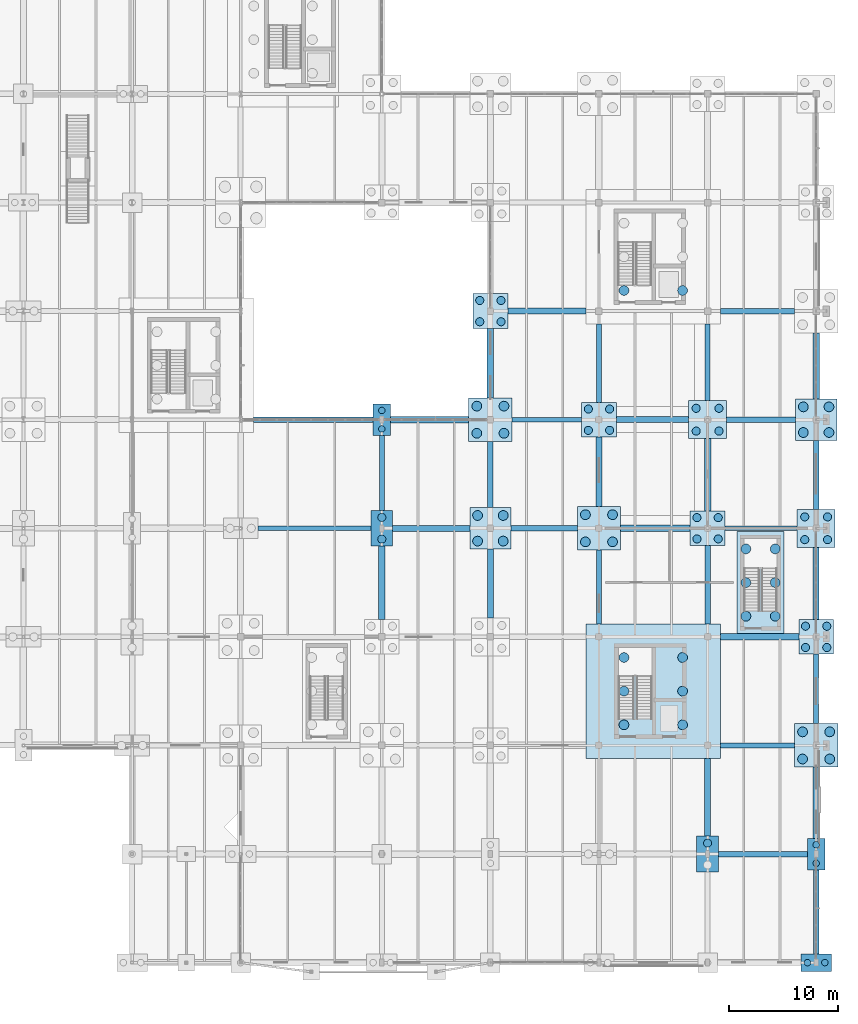
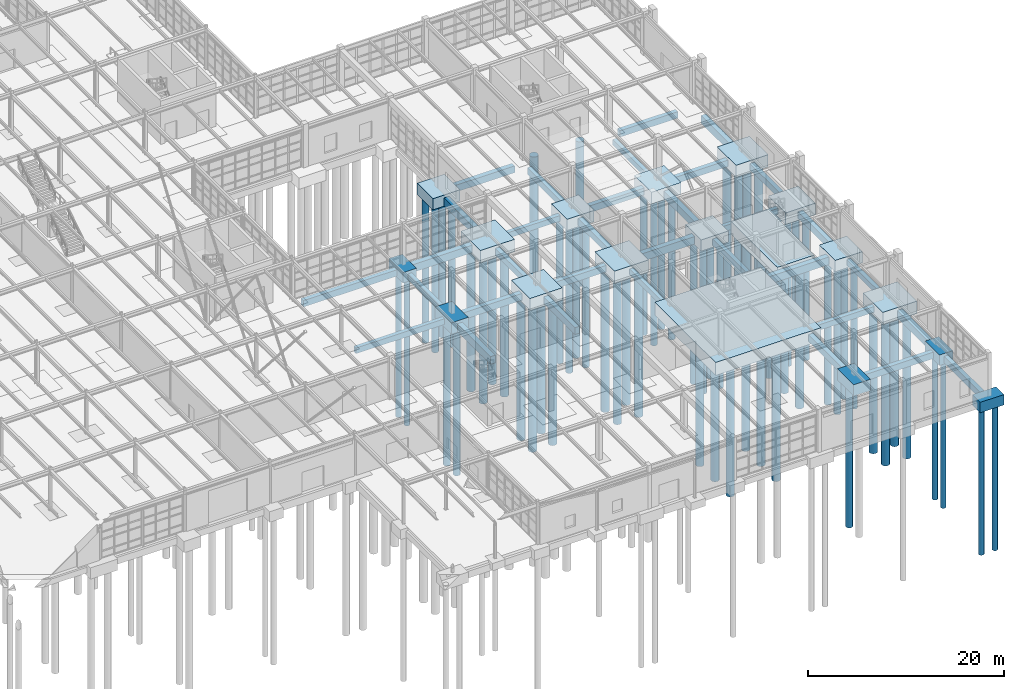
# One storey, part 8 of 145: 67 piles, 51 footings.
"""IFC4 building model written with IfcOpenShell, lengths in metres."""

from ifc_helpers import new_model, si_unit, direction, frame, origin, origin_2d, place, context, subcontext, project, spatial, rectangle, circle, extrude, material, material_profile, profile_set, type_object, element, save


model = new_model("IFC4")

# Units and contexts
model_context = context("Model", 3, precision=1e-05, world=origin(), true_north=direction((0.0, 1.0)))
body_context = subcontext(model_context, "Body", "Model", "MODEL_VIEW")
ifc_project = project(units=[si_unit("LENGTHUNIT", "METRE"), si_unit("AREAUNIT", "SQUARE_METRE"), si_unit("VOLUMEUNIT", "CUBIC_METRE"), si_unit("PLANEANGLEUNIT", "RADIAN"), si_unit("MASSUNIT", "GRAM", prefix="KILO"), si_unit("THERMODYNAMICTEMPERATUREUNIT", "KELVIN"), si_unit("POWERUNIT", "WATT")], contexts=[model_context])

# Site, building, storey
site_placement = place(None, origin())
site = spatial("IfcSite", under=ifc_project, at=site_placement, CompositionType="ELEMENT")
building_placement = place(site_placement, origin())
building = spatial("IfcBuilding", under=site, at=building_placement, Name="Korenveer Ferry Terminal", CompositionType="ELEMENT")
storey_placement = place(building_placement, origin())
storey = spatial("IfcBuildingStorey", under=building, at=storey_placement, Name="L00", CompositionType="ELEMENT", Elevation=0.0)

# Footings
ifc_material_1 = material(Name="Concrete C40/50", Category="concrete")
footing_type_1 = type_object("IfcFootingType", Name="STR-GB-01", PredefinedType="FOOTING_BEAM", material=ifc_material_1)
footing_1_placement = place(storey_placement, frame((171.10009765625, 10.0, -1.14990234375), z_axis=(0.0, 0.0, 1.0), x_axis=(1.0, 0.0, 0.0)))
element("IfcFooting", 1, at=footing_1_placement, inside=storey, type_object=footing_type_1, Name="Ground tie beam 24", PredefinedType="FOOTING_BEAM", context=body_context, shape_type="SweptSolid", body=[
    extrude(rectangle(XDim=8.199951171875, YDim=0.5, at=origin_2d()), origin(), (0.0, 0.0, 1.0), 0.800048828125),
])
footing_2_placement = place(storey_placement, frame((150.949951171875, 40.0, -1.14990234375), z_axis=(0.0, 0.0, 1.0), x_axis=(1.0, 0.0, 0.0)))
element("IfcFooting", 2, at=footing_2_placement, inside=storey, type_object=footing_type_1, Name="Ground tie beam 68", PredefinedType="FOOTING_BEAM", context=body_context, shape_type="SweptSolid", body=[
    extrude(rectangle(XDim=6.10009765625, YDim=0.5, at=origin_2d()), origin(), (0.0, 0.0, 1.0), 0.800048828125),
])
footing_3_placement = place(storey_placement, frame((129.699951171875, 50.0, -1.14990234375), z_axis=(0.0, 0.0, 1.0), x_axis=(1.0, 0.0, 0.0)))
element("IfcFooting", 3, at=footing_3_placement, inside=storey, type_object=footing_type_1, Name="Ground tie beam 80", PredefinedType="FOOTING_BEAM", context=body_context, shape_type="SweptSolid", body=[
    extrude(rectangle(XDim=11.0, YDim=0.5, at=origin_2d()), origin(), (0.0, 0.0, 1.0), 0.800048828125),
])
footing_4_placement = place(storey_placement, frame((170.925048828125, 50.0, -1.14990234375), z_axis=(0.0, 0.0, 1.0), x_axis=(1.0, 0.0, 0.0)))
element("IfcFooting", 4, at=footing_4_placement, inside=storey, type_object=footing_type_1, Name="Ground tie beam 84", PredefinedType="FOOTING_BEAM", context=body_context, shape_type="SweptSolid", body=[
    extrude(rectangle(XDim=6.35009765625, YDim=0.5, at=origin_2d()), origin(), (0.0, 0.0, 1.0), 0.800048828125),
])
footing_5_placement = place(storey_placement, frame((170.60009765625, 60.0, -1.14990234375), z_axis=(0.0, 0.0, 1.0), x_axis=(1.0, 0.0, 0.0)))
element("IfcFooting", 5, at=footing_5_placement, inside=storey, type_object=footing_type_1, Name="Ground tie beam 92", PredefinedType="FOOTING_BEAM", context=body_context, shape_type="SweptSolid", body=[
    extrude(rectangle(XDim=6.800048828125, YDim=0.5, at=origin_2d()), origin(), (0.0, 0.0, 1.0), 0.800048828125),
])
footing_6_placement = place(storey_placement, frame((146.0, 44.949951171875, -1.14990234375), z_axis=(0.0, 0.0, 1.0), x_axis=(1.0, 0.0, 0.0)))
element("IfcFooting", 6, at=footing_6_placement, inside=storey, type_object=footing_type_1, Name="Ground tie beam 276", PredefinedType="FOOTING_BEAM", context=body_context, shape_type="SweptSolid", body=[
    extrude(rectangle(XDim=0.5, YDim=6.10009765625, at=origin_2d()), origin(), (0.0, 0.0, 1.0), 0.800048828125),
])
for number, where, z_axis, x_axis, name in (
    (7, (156.0, 55.199951171875, -1.14990234375), (0.0, 0.0, 1.0), (1.0, 0.0, 0.0), "Ground tie beam 284"),
    (8, (166.0, 34.800048828125, -1.14990234375), (0.0, 0.0, 1.0), (1.0, 0.0, 0.0), "Ground tie beam 288"),
):
    element("IfcFooting", number, at=place(storey_placement, frame(where, z_axis=z_axis, x_axis=x_axis)), inside=storey, type_object=footing_type_1, Name=name, PredefinedType="FOOTING_BEAM", context=body_context, shape_type="SweptSolid", body=[
        extrude(rectangle(XDim=0.5, YDim=7.199951171875, at=origin_2d()), origin(), (0.0, 0.0, 1.0), 0.800048828125),
    ])
footing_7_placement = place(storey_placement, frame((176.0, 4.675048828125, -1.14990234375), z_axis=(0.0, 0.0, 1.0), x_axis=(1.0, 0.0, 0.0)))
element("IfcFooting", 9, at=footing_7_placement, inside=storey, type_object=footing_type_1, Name="Ground tie beam 292", PredefinedType="FOOTING_BEAM", context=body_context, shape_type="SweptSolid", body=[
    extrude(rectangle(XDim=0.5, YDim=7.75, at=origin_2d()), origin(), (0.0, 0.0, 1.0), 0.800048828125),
])
footing_8_placement = place(storey_placement, frame((176.0, 44.925048828125, -1.14990234375), z_axis=(0.0, 0.0, 1.0), x_axis=(1.0, 0.0, 0.0)))
element("IfcFooting", 10, at=footing_8_placement, inside=storey, type_object=footing_type_1, Name="Ground tie beam 296", PredefinedType="FOOTING_BEAM", context=body_context, shape_type="SweptSolid", body=[
    extrude(rectangle(XDim=0.5, YDim=6.35009765625, at=origin_2d()), origin(), (0.0, 0.0, 1.0), 0.800048828125),
])
footing_type_2 = type_object("IfcFootingType", Name="STR-GB-02", PredefinedType="FOOTING_BEAM", material=ifc_material_1)
footing_9_placement = place(storey_placement, frame((170.800048828125, 30.0, -1.2998046875), z_axis=(0.0, 0.0, 1.0), x_axis=(1.0, 0.0, 0.0)))
element("IfcFooting", 11, at=footing_9_placement, inside=storey, type_object=footing_type_2, Name="Ground tie beam 53", PredefinedType="FOOTING_BEAM", context=body_context, shape_type="SweptSolid", body=[
    extrude(rectangle(XDim=7.199951171875, YDim=0.60009765625, at=origin_2d()), origin(), (0.0, 0.0, 1.0), 0.949951171875),
])
footing_10_placement = place(storey_placement, frame((161.199951171875, 40.0, -1.2998046875), z_axis=(0.0, 0.0, 1.0), x_axis=(1.0, 0.0, 0.0)))
element("IfcFooting", 12, at=footing_10_placement, inside=storey, type_object=footing_type_2, Name="Ground tie beam 69", PredefinedType="FOOTING_BEAM", context=body_context, shape_type="SweptSolid", body=[
    extrude(rectangle(XDim=6.39990234375, YDim=0.60009765625, at=origin_2d()), origin(), (0.0, 0.0, 1.0), 0.949951171875),
])
footing_11_placement = place(storey_placement, frame((140.39990234375, 50.0, -1.2998046875), z_axis=(0.0, 0.0, 1.0), x_axis=(1.0, 0.0, 0.0)))
element("IfcFooting", 13, at=footing_11_placement, inside=storey, type_object=footing_type_2, Name="Ground tie beam 81", PredefinedType="FOOTING_BEAM", context=body_context, shape_type="SweptSolid", body=[
    extrude(rectangle(XDim=7.199951171875, YDim=0.60009765625, at=origin_2d()), origin(), (0.0, 0.0, 1.0), 0.949951171875),
])
footing_12_placement = place(storey_placement, frame((136.0, 34.97509765625, -1.2998046875), z_axis=(0.0, 0.0, 1.0), x_axis=(1.0, 0.0, 0.0)))
element("IfcFooting", 14, at=footing_12_placement, inside=storey, type_object=footing_type_2, Name="Ground tie beam 265", PredefinedType="FOOTING_BEAM", context=body_context, shape_type="SweptSolid", body=[
    extrude(rectangle(XDim=0.60009765625, YDim=6.75, at=origin_2d()), origin(), (0.0, 0.0, 1.0), 0.949951171875),
])
footing_13_placement = place(storey_placement, frame((146.0, 55.199951171875, -1.2998046875), z_axis=(0.0, 0.0, 1.0), x_axis=(1.0, 0.0, 0.0)))
element("IfcFooting", 15, at=footing_13_placement, inside=storey, type_object=footing_type_2, Name="Ground tie beam 277", PredefinedType="FOOTING_BEAM", context=body_context, shape_type="SweptSolid", body=[
    extrude(rectangle(XDim=0.60009765625, YDim=6.39990234375, at=origin_2d()), origin(), (0.0, 0.0, 1.0), 0.949951171875),
])
footing_14_placement = place(storey_placement, frame((166.0, 44.925048828125, -1.2998046875), z_axis=(0.0, 0.0, 1.0), x_axis=(1.0, 0.0, 0.0)))
element("IfcFooting", 16, at=footing_14_placement, inside=storey, type_object=footing_type_2, Name="Ground tie beam 289", PredefinedType="FOOTING_BEAM", context=body_context, shape_type="SweptSolid", body=[
    extrude(rectangle(XDim=0.60009765625, YDim=6.64990234375, at=origin_2d()), origin(), (0.0, 0.0, 1.0), 0.949951171875),
])
footing_15_placement = place(storey_placement, frame((176.0, 14.72509765625, -1.2998046875), z_axis=(0.0, 0.0, 1.0), x_axis=(1.0, 0.0, 0.0)))
element("IfcFooting", 17, at=footing_15_placement, inside=storey, type_object=footing_type_2, Name="Ground tie beam 293", PredefinedType="FOOTING_BEAM", context=body_context, shape_type="SweptSolid", body=[
    extrude(rectangle(XDim=0.60009765625, YDim=6.550048828125, at=origin_2d()), origin(), (0.0, 0.0, 1.0), 0.949951171875),
])
footing_16_placement = place(storey_placement, frame((176.0, 54.949951171875, -1.2998046875), z_axis=(0.0, 0.0, 1.0), x_axis=(1.0, 0.0, 0.0)))
element("IfcFooting", 18, at=footing_16_placement, inside=storey, type_object=footing_type_2, Name="Ground tie beam 297", PredefinedType="FOOTING_BEAM", context=body_context, shape_type="SweptSolid", body=[
    extrude(rectangle(XDim=0.60009765625, YDim=6.10009765625, at=origin_2d()), origin(), (0.0, 0.0, 1.0), 0.949951171875),
])
footing_type_3 = type_object("IfcFootingType", Name="STR-GB-03", PredefinedType="FOOTING_BEAM", material=ifc_material_1)
footing_17_placement = place(storey_placement, frame((170.60009765625, 20.0, -1.0498046875), z_axis=(0.0, 0.0, 1.0), x_axis=(1.0, 0.0, 0.0)))
element("IfcFooting", 19, at=footing_17_placement, inside=storey, type_object=footing_type_3, Name="Ground tie beam 38", PredefinedType="FOOTING_BEAM", context=body_context, shape_type="SweptSolid", body=[
    extrude(rectangle(XDim=6.800048828125, YDim=0.449951171875, at=origin_2d()), origin(), (0.0, 0.0, 1.0), 0.699951171875),
])
footing_18_placement = place(storey_placement, frame((129.800048828125, 40.0, -1.0498046875), z_axis=(0.0, 0.0, 1.0), x_axis=(1.0, 0.0, 0.0)))
element("IfcFooting", 20, at=footing_18_placement, inside=storey, type_object=footing_type_3, Name="Ground tie beam 66", PredefinedType="FOOTING_BEAM", context=body_context, shape_type="SweptSolid", body=[
    extrude(rectangle(XDim=10.39990234375, YDim=0.449951171875, at=origin_2d()), origin(), (0.0, 0.0, 1.0), 0.699951171875),
])
footing_19_placement = place(storey_placement, frame((170.925048828125, 40.0, -1.0498046875), z_axis=(0.0, 0.0, 1.0), x_axis=(1.0, 0.0, 0.0)))
element("IfcFooting", 21, at=footing_19_placement, inside=storey, type_object=footing_type_3, Name="Ground tie beam 70", PredefinedType="FOOTING_BEAM", context=body_context, shape_type="SweptSolid", body=[
    extrude(rectangle(XDim=6.64990234375, YDim=0.449951171875, at=origin_2d()), origin(), (0.0, 0.0, 1.0), 0.699951171875),
])
footing_20_placement = place(storey_placement, frame((151.199951171875, 50.0, -1.0498046875), z_axis=(0.0, 0.0, 1.0), x_axis=(1.0, 0.0, 0.0)))
element("IfcFooting", 22, at=footing_20_placement, inside=storey, type_object=footing_type_3, Name="Ground tie beam 82", PredefinedType="FOOTING_BEAM", context=body_context, shape_type="SweptSolid", body=[
    extrude(rectangle(XDim=6.39990234375, YDim=0.449951171875, at=origin_2d()), origin(), (0.0, 0.0, 1.0), 0.699951171875),
])
footing_21_placement = place(storey_placement, frame((136.0, 45.10009765625, -1.0498046875), z_axis=(0.0, 0.0, 1.0), x_axis=(1.0, 0.0, 0.0)))
element("IfcFooting", 23, at=footing_21_placement, inside=storey, type_object=footing_type_3, Name="Ground tie beam 266", PredefinedType="FOOTING_BEAM", context=body_context, shape_type="SweptSolid", body=[
    extrude(rectangle(XDim=0.449951171875, YDim=6.89990234375, at=origin_2d()), origin(), (0.0, 0.0, 1.0), 0.699951171875),
])
footing_22_placement = place(storey_placement, frame((156.0, 34.60009765625, -1.0498046875), z_axis=(0.0, 0.0, 1.0), x_axis=(1.0, 0.0, 0.0)))
element("IfcFooting", 24, at=footing_22_placement, inside=storey, type_object=footing_type_3, Name="Ground tie beam 282", PredefinedType="FOOTING_BEAM", context=body_context, shape_type="SweptSolid", body=[
    extrude(rectangle(XDim=0.449951171875, YDim=6.800048828125, at=origin_2d()), origin(), (0.0, 0.0, 1.0), 0.699951171875),
])
footing_23_placement = place(storey_placement, frame((166.0, 55.27490234375, -1.0498046875), z_axis=(0.0, 0.0, 1.0), x_axis=(1.0, 0.0, 0.0)))
element("IfcFooting", 25, at=footing_23_placement, inside=storey, type_object=footing_type_3, Name="Ground tie beam 290", PredefinedType="FOOTING_BEAM", context=body_context, shape_type="SweptSolid", body=[
    extrude(rectangle(XDim=0.449951171875, YDim=7.050048828125, at=origin_2d()), origin(), (0.0, 0.0, 1.0), 0.699951171875),
])
footing_24_placement = place(storey_placement, frame((176.0, 25.199951171875, -1.0498046875), z_axis=(0.0, 0.0, 1.0), x_axis=(1.0, 0.0, 0.0)))
element("IfcFooting", 26, at=footing_24_placement, inside=storey, type_object=footing_type_3, Name="Ground tie beam 294", PredefinedType="FOOTING_BEAM", context=body_context, shape_type="SweptSolid", body=[
    extrude(rectangle(XDim=0.449951171875, YDim=6.39990234375, at=origin_2d()), origin(), (0.0, 0.0, 1.0), 0.699951171875),
])
footing_type_4 = type_object("IfcFootingType", Name="STR-GB-04", PredefinedType="FOOTING_BEAM", material=ifc_material_1)
footing_25_placement = place(storey_placement, frame((140.550048828125, 40.0, -1.199951171875), z_axis=(0.0, 0.0, 1.0), x_axis=(1.0, 0.0, 0.0)))
element("IfcFooting", 27, at=footing_25_placement, inside=storey, type_object=footing_type_4, Name="Ground tie beam 67", PredefinedType="FOOTING_BEAM", context=body_context, shape_type="SweptSolid", body=[
    extrude(rectangle(XDim=7.10009765625, YDim=0.550048828125, at=origin_2d()), origin(), (0.0, 0.0, 1.0), 0.85009765625),
])
footing_26_placement = place(storey_placement, frame((160.925048828125, 50.0, -1.199951171875), z_axis=(0.0, 0.0, 1.0), x_axis=(1.0, 0.0, 0.0)))
element("IfcFooting", 28, at=footing_26_placement, inside=storey, type_object=footing_type_4, Name="Ground tie beam 83", PredefinedType="FOOTING_BEAM", context=body_context, shape_type="SweptSolid", body=[
    extrude(rectangle(XDim=6.64990234375, YDim=0.550048828125, at=origin_2d()), origin(), (0.0, 0.0, 1.0), 0.85009765625),
])
footing_27_placement = place(storey_placement, frame((151.199951171875, 60.0, -1.199951171875), z_axis=(0.0, 0.0, 1.0), x_axis=(1.0, 0.0, 0.0)))
element("IfcFooting", 29, at=footing_27_placement, inside=storey, type_object=footing_type_4, Name="Ground tie beam 91", PredefinedType="FOOTING_BEAM", context=body_context, shape_type="SweptSolid", body=[
    extrude(rectangle(XDim=7.199951171875, YDim=0.550048828125, at=origin_2d()), origin(), (0.0, 0.0, 1.0), 0.85009765625),
])
footing_28_placement = place(storey_placement, frame((146.0, 34.925048828125, -1.199951171875), z_axis=(0.0, 0.0, 1.0), x_axis=(1.0, 0.0, 0.0)))
element("IfcFooting", 30, at=footing_28_placement, inside=storey, type_object=footing_type_4, Name="Ground tie beam 275", PredefinedType="FOOTING_BEAM", context=body_context, shape_type="SweptSolid", body=[
    extrude(rectangle(XDim=0.550048828125, YDim=6.35009765625, at=origin_2d()), origin(), (0.0, 0.0, 1.0), 0.85009765625),
])
footing_29_placement = place(storey_placement, frame((156.0, 45.199951171875, -1.199951171875), z_axis=(0.0, 0.0, 1.0), x_axis=(1.0, 0.0, 0.0)))
element("IfcFooting", 31, at=footing_29_placement, inside=storey, type_object=footing_type_4, Name="Ground tie beam 283", PredefinedType="FOOTING_BEAM", context=body_context, shape_type="SweptSolid", body=[
    extrude(rectangle(XDim=0.550048828125, YDim=6.39990234375, at=origin_2d()), origin(), (0.0, 0.0, 1.0), 0.85009765625),
])
footing_30_placement = place(storey_placement, frame((166.0, 15.22509765625, -1.199951171875), z_axis=(0.0, 0.0, 1.0), x_axis=(1.0, 0.0, 0.0)))
element("IfcFooting", 32, at=footing_30_placement, inside=storey, type_object=footing_type_4, Name="Ground tie beam 287", PredefinedType="FOOTING_BEAM", context=body_context, shape_type="SweptSolid", body=[
    extrude(rectangle(XDim=0.550048828125, YDim=7.14990234375, at=origin_2d()), origin(), (0.0, 0.0, 1.0), 0.85009765625),
])
footing_31_placement = place(storey_placement, frame((176.0, 34.925048828125, -1.199951171875), z_axis=(0.0, 0.0, 1.0), x_axis=(1.0, 0.0, 0.0)))
element("IfcFooting", 33, at=footing_31_placement, inside=storey, type_object=footing_type_4, Name="Ground tie beam 295", PredefinedType="FOOTING_BEAM", context=body_context, shape_type="SweptSolid", body=[
    extrude(rectangle(XDim=0.550048828125, YDim=6.64990234375, at=origin_2d()), origin(), (0.0, 0.0, 1.0), 0.85009765625),
])
ifc_material_2 = material(Name="Concrete C45/55", Category="concrete")
footing_type_5 = type_object("IfcFootingType", Name="STR-PC-02", PredefinedType="PILE_CAP", material=ifc_material_2)
footing_32_placement = place(storey_placement, frame((176.0, 0.0, -1.2998046875), z_axis=(0.0, 0.0, 1.0), x_axis=(1.0, 0.0, 0.0)))
element("IfcFooting", 34, at=footing_32_placement, inside=storey, type_object=footing_type_5, Name="Pile cap PC-02 at (176,0)", PredefinedType="PILE_CAP", context=body_context, shape_type="SweptSolid", body=[
    extrude(rectangle(XDim=2.800048828125, YDim=1.60009765625, at=origin_2d()), origin(), (0.0, 0.0, 1.0), 1.300048828125),
])
footing_type_6 = type_object("IfcFootingType", Name="STR-PC-03", PredefinedType="PILE_CAP", material=ifc_material_2)
for number, where, z_axis, x_axis, name in (
    (35, (136.0, 50.0, -1.2998046875), (0.0, 0.0, 1.0), (1.0, 0.0, 0.0), "Pile cap PC-03 at (136,50)"),
    (36, (176.0, 10.0, -1.2998046875), (0.0, 0.0, 1.0), (1.0, 0.0, 0.0), "Pile cap PC-03 at (176,10)"),
):
    element("IfcFooting", number, at=place(storey_placement, frame(where, z_axis=z_axis, x_axis=x_axis)), inside=storey, type_object=footing_type_6, Name=name, PredefinedType="PILE_CAP", context=body_context, shape_type="SweptSolid", body=[
        extrude(rectangle(XDim=1.60009765625, YDim=2.89990234375, at=origin_2d()), origin(), (0.0, 0.0, 1.0), 1.300048828125),
    ])
footing_type_7 = type_object("IfcFootingType", Name="STR-PC-05", PredefinedType="PILE_CAP", material=ifc_material_2)
for number, where, z_axis, x_axis, name in (
    (37, (136.0, 40.0, -1.39990234375), (0.0, 0.0, 1.0), (1.0, 0.0, 0.0), "Pile cap PC-05 at (136,40)"),
    (38, (166.0, 10.0, -1.39990234375), (0.0, 0.0, 1.0), (1.0, 0.0, 0.0), "Pile cap PC-05 at (166,10)"),
):
    element("IfcFooting", number, at=place(storey_placement, frame(where, z_axis=z_axis, x_axis=x_axis)), inside=storey, type_object=footing_type_7, Name=name, PredefinedType="PILE_CAP", context=body_context, shape_type="SweptSolid", body=[
        extrude(rectangle(XDim=2.0, YDim=3.300048828125, at=origin_2d()), origin(), (0.0, 0.0, 1.0), 1.39990234375),
    ])
footing_type_8 = type_object("IfcFootingType", Name="STR-PC-06", PredefinedType="PILE_CAP", material=ifc_material_2)
for number, where, z_axis, x_axis, name in (
    (39, (146.0, 60.0, -1.39990234375), (0.0, 0.0, 1.0), (1.0, 0.0, 0.0), "Pile cap PC-06 at (146,60)"),
    (40, (156.0, 50.0, -1.39990234375), (0.0, 0.0, 1.0), (1.0, 0.0, 0.0), "Pile cap PC-06 at (156,50)"),
    (41, (166.0, 40.0, -1.39990234375), (0.0, 0.0, 1.0), (1.0, 0.0, 0.0), "Pile cap PC-06 at (166,40)"),
    (42, (176.0, 30.0, -1.39990234375), (0.0, 0.0, 1.0), (1.0, 0.0, 0.0), "Pile cap PC-06 at (176,30)"),
):
    element("IfcFooting", number, at=place(storey_placement, frame(where, z_axis=z_axis, x_axis=x_axis)), inside=storey, type_object=footing_type_8, Name=name, PredefinedType="PILE_CAP", context=body_context, shape_type="SweptSolid", body=[
        extrude(rectangle(XDim=3.199951171875, YDim=3.199951171875, at=origin_2d()), origin(), (0.0, 0.0, 1.0), 1.39990234375),
    ])
footing_type_9 = type_object("IfcFootingType", Name="STR-PC-07", PredefinedType="PILE_CAP", material=ifc_material_2)
for number, where, z_axis, x_axis, name in (
    (43, (166.0, 50.0, -1.4501953125), (0.0, 0.0, 1.0), (1.0, 0.0, 0.0), "Pile cap PC-07 at (166,50)"),
    (44, (176.0, 40.0, -1.4501953125), (0.0, 0.0, 1.0), (1.0, 0.0, 0.0), "Pile cap PC-07 at (176,40)"),
):
    element("IfcFooting", number, at=place(storey_placement, frame(where, z_axis=z_axis, x_axis=x_axis)), inside=storey, type_object=footing_type_9, Name=name, PredefinedType="PILE_CAP", context=body_context, shape_type="SweptSolid", body=[
        extrude(rectangle(XDim=3.5, YDim=3.5, at=origin_2d()), origin(), (0.0, 0.0, 1.0), 1.449951171875),
    ])
footing_type_10 = type_object("IfcFootingType", Name="STR-PC-08", PredefinedType="PILE_CAP", material=ifc_material_2)
for number, where, z_axis, x_axis, name in (
    (45, (146.0, 40.0, -1.5), (0.0, 0.0, 1.0), (1.0, 0.0, 0.0), "Pile cap PC-08 at (146,40)"),
    (46, (176.0, 50.0, -1.5), (0.0, 0.0, 1.0), (1.0, 0.0, 0.0), "Pile cap PC-08 at (176,50)"),
):
    element("IfcFooting", number, at=place(storey_placement, frame(where, z_axis=z_axis, x_axis=x_axis)), inside=storey, type_object=footing_type_10, Name=name, PredefinedType="PILE_CAP", context=body_context, shape_type="SweptSolid", body=[
        extrude(rectangle(XDim=3.800048828125, YDim=3.800048828125, at=origin_2d()), origin(), (0.0, 0.0, 1.0), 1.5),
    ])
footing_type_11 = type_object("IfcFootingType", Name="STR-PC-09", PredefinedType="PILE_CAP", material=ifc_material_2)
for number, where, z_axis, x_axis, name in (
    (47, (146.0, 50.0, -1.5498046875), (0.0, 0.0, 1.0), (1.0, 0.0, 0.0), "Pile cap PC-09 at (146,50)"),
    (48, (156.0, 40.0, -1.5498046875), (0.0, 0.0, 1.0), (1.0, 0.0, 0.0), "Pile cap PC-09 at (156,40)"),
    (49, (176.0, 20.0, -1.5498046875), (0.0, 0.0, 1.0), (1.0, 0.0, 0.0), "Pile cap PC-09 at (176,20)"),
):
    element("IfcFooting", number, at=place(storey_placement, frame(where, z_axis=z_axis, x_axis=x_axis)), inside=storey, type_object=footing_type_11, Name=name, PredefinedType="PILE_CAP", context=body_context, shape_type="SweptSolid", body=[
        extrude(rectangle(XDim=4.0, YDim=4.0, at=origin_2d()), origin(), (0.0, 0.0, 1.0), 1.550048828125),
    ])
footing_type_12 = type_object("IfcFootingType", Name="STR-PC-MAT-K12", PredefinedType="PILE_CAP", material=ifc_material_2)
footing_33_placement = place(storey_placement, frame((170.8798828125, 35.0, -1.60009765625), z_axis=(0.0, 0.0, 1.0), x_axis=(1.0, 0.0, 0.0)))
element("IfcFooting", 50, at=footing_33_placement, inside=storey, type_object=footing_type_12, Name="Core pile cap mat K12", PredefinedType="PILE_CAP", context=body_context, shape_type="SweptSolid", body=[
    extrude(rectangle(XDim=4.360107421875, YDim=9.39990234375, at=origin_2d()), origin(), (0.0, 0.0, 1.0), 1.60009765625),
])
footing_type_13 = type_object("IfcFootingType", Name="STR-PC-MAT-K3", PredefinedType="PILE_CAP", material=ifc_material_2)
footing_34_placement = place(storey_placement, frame((161.0, 25.0, -1.60009765625), z_axis=(0.0, 0.0, 1.0), x_axis=(1.0, 0.0, 0.0)))
element("IfcFooting", 51, at=footing_34_placement, inside=storey, type_object=footing_type_13, Name="Core pile cap mat K3", PredefinedType="PILE_CAP", context=body_context, shape_type="SweptSolid", body=[
    extrude(rectangle(XDim=12.39990234375, YDim=12.39990234375, at=origin_2d()), origin(), (0.0, 0.0, 1.0), 1.60009765625),
])

# Piles
ifc_material_profile_1 = material_profile(ifc_material_1, circle(Radius=0.300048828125, at=origin_2d()), Name="PILE D600")
ifc_profile_set_1 = profile_set([ifc_material_profile_1], Name="Concrete C40/50")
pile_type_1 = type_object("IfcPileType", Name="STR-PL-D600", PredefinedType="DRIVEN", material=ifc_profile_set_1)
for number, where, z_axis, x_axis, name in (
    (52, (136.0, 49.14990234375, -1.199951171875), (0.0, 0.0, -1.0), (1.0, 0.0, 0.0), "Foundation pile 413"),
    (53, (136.0, 50.85009765625, -1.199951171875), (0.0, 0.0, -1.0), (1.0, 0.0, 0.0), "Foundation pile 414"),
    (54, (175.199951171875, 0.0, -1.199951171875), (0.0, 0.0, -1.0), (1.0, 0.0, 0.0), "Foundation pile 501"),
    (55, (176.800048828125, 0.0, -1.199951171875), (0.0, 0.0, -1.0), (1.0, 0.0, 0.0), "Foundation pile 502"),
    (56, (176.0, 9.14990234375, -1.199951171875), (0.0, 0.0, -1.0), (1.0, 0.0, 0.0), "Foundation pile 503"),
    (57, (176.0, 10.85009765625, -1.199951171875), (0.0, 0.0, -1.0), (1.0, 0.0, 0.0), "Foundation pile 504"),
):
    element("IfcPile", number, at=place(storey_placement, frame(where, z_axis=z_axis, x_axis=x_axis)), inside=storey, type_object=pile_type_1, Name=name, PredefinedType="DRIVEN", context=body_context, shape_type="SweptSolid", body=[
        extrude(circle(Radius=0.300048828125, at=origin_2d()), origin(), (0.0, 0.0, 1.0), 18.300048828125),
    ])
ifc_material_profile_2 = material_profile(ifc_material_1, circle(Radius=0.375, at=origin_2d()), Name="PILE D750")
ifc_profile_set_2 = profile_set([ifc_material_profile_2], Name="Concrete C40/50")
pile_type_2 = type_object("IfcPileType", Name="STR-PL-D750", PredefinedType="BORED", material=ifc_profile_set_2)
for number, where, z_axis, x_axis, name in (
    (58, (136.0, 39.0, -1.300048828125), (0.0, 0.0, -1.0), (1.0, 0.0, 0.0), "Foundation pile 411"),
    (59, (136.0, 41.0, -1.300048828125), (0.0, 0.0, -1.0), (1.0, 0.0, 0.0), "Foundation pile 412"),
    (60, (145.02001953125, 59.02001953125, -1.300048828125), (0.0, 0.0, -1.0), (1.0, 0.0, 0.0), "Foundation pile 458"),
    (61, (146.97998046875, 59.02001953125, -1.300048828125), (0.0, 0.0, -1.0), (1.0, 0.0, 0.0), "Foundation pile 459"),
    (62, (145.02001953125, 60.97998046875, -1.300048828125), (0.0, 0.0, -1.0), (1.0, 0.0, 0.0), "Foundation pile 460"),
    (63, (146.97998046875, 60.97998046875, -1.300048828125), (0.0, 0.0, -1.0), (1.0, 0.0, 0.0), "Foundation pile 461"),
    (64, (155.02001953125, 49.02001953125, -1.300048828125), (0.0, 0.0, -1.0), (1.0, 0.0, 0.0), "Foundation pile 478"),
    (65, (156.97998046875, 49.02001953125, -1.300048828125), (0.0, 0.0, -1.0), (1.0, 0.0, 0.0), "Foundation pile 479"),
    (66, (155.02001953125, 50.97998046875, -1.300048828125), (0.0, 0.0, -1.0), (1.0, 0.0, 0.0), "Foundation pile 480"),
    (67, (156.97998046875, 50.97998046875, -1.300048828125), (0.0, 0.0, -1.0), (1.0, 0.0, 0.0), "Foundation pile 481"),
    (68, (166.0, 11.0, -1.300048828125), (0.0, 0.0, -1.0), (1.0, 0.0, 0.0), "Foundation pile 488"),
    (69, (165.02001953125, 39.02001953125, -1.300048828125), (0.0, 0.0, -1.0), (1.0, 0.0, 0.0), "Foundation pile 489"),
    (70, (166.97998046875, 39.02001953125, -1.300048828125), (0.0, 0.0, -1.0), (1.0, 0.0, 0.0), "Foundation pile 490"),
    (71, (165.02001953125, 40.97998046875, -1.300048828125), (0.0, 0.0, -1.0), (1.0, 0.0, 0.0), "Foundation pile 491"),
    (72, (166.97998046875, 40.97998046875, -1.300048828125), (0.0, 0.0, -1.0), (1.0, 0.0, 0.0), "Foundation pile 492"),
):
    element("IfcPile", number, at=place(storey_placement, frame(where, z_axis=z_axis, x_axis=x_axis)), inside=storey, type_object=pile_type_2, Name=name, PredefinedType="BORED", context=body_context, shape_type="SweptSolid", body=[
        extrude(circle(Radius=0.375, at=origin_2d()), origin(), (0.0, 0.0, 1.0), 18.199951171875),
    ])
for number, where, z_axis, x_axis, name in (
    (73, (164.949951171875, 48.949951171875, -1.35009765625), (0.0, 0.0, -1.0), (1.0, 0.0, 0.0), "Foundation pile 493"),
    (74, (167.050048828125, 48.949951171875, -1.35009765625), (0.0, 0.0, -1.0), (1.0, 0.0, 0.0), "Foundation pile 494"),
    (75, (164.949951171875, 51.050048828125, -1.35009765625), (0.0, 0.0, -1.0), (1.0, 0.0, 0.0), "Foundation pile 495"),
    (76, (167.050048828125, 51.050048828125, -1.35009765625), (0.0, 0.0, -1.0), (1.0, 0.0, 0.0), "Foundation pile 496"),
):
    element("IfcPile", number, at=place(storey_placement, frame(where, z_axis=z_axis, x_axis=x_axis)), inside=storey, type_object=pile_type_2, Name=name, PredefinedType="BORED", context=body_context, shape_type="SweptSolid", body=[
        extrude(circle(Radius=0.375, at=origin_2d()), origin(), (0.0, 0.0, 1.0), 18.14990234375),
    ])
for number, where, z_axis, x_axis, name in (
    (77, (175.02001953125, 29.02001953125, -1.300048828125), (0.0, 0.0, -1.0), (1.0, 0.0, 0.0), "Foundation pile 509"),
    (78, (176.97998046875, 29.02001953125, -1.300048828125), (0.0, 0.0, -1.0), (1.0, 0.0, 0.0), "Foundation pile 510"),
    (79, (175.02001953125, 30.97998046875, -1.300048828125), (0.0, 0.0, -1.0), (1.0, 0.0, 0.0), "Foundation pile 511"),
    (80, (176.97998046875, 30.97998046875, -1.300048828125), (0.0, 0.0, -1.0), (1.0, 0.0, 0.0), "Foundation pile 512"),
):
    element("IfcPile", number, at=place(storey_placement, frame(where, z_axis=z_axis, x_axis=x_axis)), inside=storey, type_object=pile_type_2, Name=name, PredefinedType="BORED", context=body_context, shape_type="SweptSolid", body=[
        extrude(circle(Radius=0.375, at=origin_2d()), origin(), (0.0, 0.0, 1.0), 18.199951171875),
    ])
for number, where, z_axis, x_axis, name in (
    (81, (174.949951171875, 38.949951171875, -1.35009765625), (0.0, 0.0, -1.0), (1.0, 0.0, 0.0), "Foundation pile 513"),
    (82, (177.050048828125, 38.949951171875, -1.35009765625), (0.0, 0.0, -1.0), (1.0, 0.0, 0.0), "Foundation pile 514"),
    (83, (174.949951171875, 41.050048828125, -1.35009765625), (0.0, 0.0, -1.0), (1.0, 0.0, 0.0), "Foundation pile 515"),
    (84, (177.050048828125, 41.050048828125, -1.35009765625), (0.0, 0.0, -1.0), (1.0, 0.0, 0.0), "Foundation pile 516"),
):
    element("IfcPile", number, at=place(storey_placement, frame(where, z_axis=z_axis, x_axis=x_axis)), inside=storey, type_object=pile_type_2, Name=name, PredefinedType="BORED", context=body_context, shape_type="SweptSolid", body=[
        extrude(circle(Radius=0.375, at=origin_2d()), origin(), (0.0, 0.0, 1.0), 18.14990234375),
    ])
ifc_material_profile_3 = material_profile(ifc_material_1, circle(Radius=0.449951171875, at=origin_2d()), Name="PILE D900")
ifc_profile_set_3 = profile_set([ifc_material_profile_3], Name="Concrete C40/50")
pile_type_3 = type_object("IfcPileType", Name="STR-PL-D900", PredefinedType="BORED", material=ifc_profile_set_3)
for number, where, z_axis, x_axis, name in (
    (85, (158.300048828125, 21.89990234375, -1.5), (0.0, 0.0, -1.0), (1.0, 0.0, 0.0), "Core foundation pile 13"),
    (86, (163.699951171875, 21.89990234375, -1.5), (0.0, 0.0, -1.0), (1.0, 0.0, 0.0), "Core foundation pile 14"),
    (87, (158.300048828125, 25.0, -1.5), (0.0, 0.0, -1.0), (1.0, 0.0, 0.0), "Core foundation pile 15"),
    (88, (163.699951171875, 25.0, -1.5), (0.0, 0.0, -1.0), (1.0, 0.0, 0.0), "Core foundation pile 16"),
    (89, (158.300048828125, 28.10009765625, -1.5), (0.0, 0.0, -1.0), (1.0, 0.0, 0.0), "Core foundation pile 17"),
    (90, (163.699951171875, 28.10009765625, -1.5), (0.0, 0.0, -1.0), (1.0, 0.0, 0.0), "Core foundation pile 18"),
    (91, (158.300048828125, 61.89990234375, -1.5), (0.0, 0.0, -1.0), (1.0, 0.0, 0.0), "Core foundation pile 19"),
    (92, (163.699951171875, 61.89990234375, -1.5), (0.0, 0.0, -1.0), (1.0, 0.0, 0.0), "Core foundation pile 20"),
    (93, (169.530029296875, 31.89990234375, -1.5), (0.0, 0.0, -1.0), (1.0, 0.0, 0.0), "Core foundation pile 67"),
    (94, (172.22998046875, 31.89990234375, -1.5), (0.0, 0.0, -1.0), (1.0, 0.0, 0.0), "Core foundation pile 68"),
    (95, (169.530029296875, 35.0, -1.5), (0.0, 0.0, -1.0), (1.0, 0.0, 0.0), "Core foundation pile 69"),
    (96, (172.22998046875, 35.0, -1.5), (0.0, 0.0, -1.0), (1.0, 0.0, 0.0), "Core foundation pile 70"),
    (97, (169.530029296875, 38.10009765625, -1.5), (0.0, 0.0, -1.0), (1.0, 0.0, 0.0), "Core foundation pile 71"),
    (98, (172.22998046875, 38.10009765625, -1.5), (0.0, 0.0, -1.0), (1.0, 0.0, 0.0), "Core foundation pile 72"),
):
    element("IfcPile", number, at=place(storey_placement, frame(where, z_axis=z_axis, x_axis=x_axis)), inside=storey, type_object=pile_type_3, Name=name, PredefinedType="BORED", context=body_context, shape_type="SweptSolid", body=[
        extrude(circle(Radius=0.449951171875, at=origin_2d()), origin(), (0.0, 0.0, 1.0), 18.0),
    ])
for number, where, z_axis, x_axis, name in (
    (99, (144.820068359375, 38.820068359375, -1.39990234375), (0.0, 0.0, -1.0), (1.0, 0.0, 0.0), "Foundation pile 450"),
    (100, (147.179931640625, 38.820068359375, -1.39990234375), (0.0, 0.0, -1.0), (1.0, 0.0, 0.0), "Foundation pile 451"),
    (101, (144.820068359375, 41.179931640625, -1.39990234375), (0.0, 0.0, -1.0), (1.0, 0.0, 0.0), "Foundation pile 452"),
    (102, (147.179931640625, 41.179931640625, -1.39990234375), (0.0, 0.0, -1.0), (1.0, 0.0, 0.0), "Foundation pile 453"),
):
    element("IfcPile", number, at=place(storey_placement, frame(where, z_axis=z_axis, x_axis=x_axis)), inside=storey, type_object=pile_type_3, Name=name, PredefinedType="BORED", context=body_context, shape_type="SweptSolid", body=[
        extrude(circle(Radius=0.449951171875, at=origin_2d()), origin(), (0.0, 0.0, 1.0), 18.10009765625),
    ])
for number, where, z_axis, x_axis, name in (
    (103, (144.75, 48.75, -1.449951171875), (0.0, 0.0, -1.0), (1.0, 0.0, 0.0), "Foundation pile 454"),
    (104, (147.25, 48.75, -1.449951171875), (0.0, 0.0, -1.0), (1.0, 0.0, 0.0), "Foundation pile 455"),
    (105, (144.75, 51.25, -1.449951171875), (0.0, 0.0, -1.0), (1.0, 0.0, 0.0), "Foundation pile 456"),
    (106, (147.25, 51.25, -1.449951171875), (0.0, 0.0, -1.0), (1.0, 0.0, 0.0), "Foundation pile 457"),
    (107, (154.75, 38.75, -1.449951171875), (0.0, 0.0, -1.0), (1.0, 0.0, 0.0), "Foundation pile 474"),
    (108, (157.25, 38.75, -1.449951171875), (0.0, 0.0, -1.0), (1.0, 0.0, 0.0), "Foundation pile 475"),
    (109, (154.75, 41.25, -1.449951171875), (0.0, 0.0, -1.0), (1.0, 0.0, 0.0), "Foundation pile 476"),
    (110, (157.25, 41.25, -1.449951171875), (0.0, 0.0, -1.0), (1.0, 0.0, 0.0), "Foundation pile 477"),
    (111, (174.75, 18.75, -1.449951171875), (0.0, 0.0, -1.0), (1.0, 0.0, 0.0), "Foundation pile 505"),
    (112, (177.25, 18.75, -1.449951171875), (0.0, 0.0, -1.0), (1.0, 0.0, 0.0), "Foundation pile 506"),
    (113, (174.75, 21.25, -1.449951171875), (0.0, 0.0, -1.0), (1.0, 0.0, 0.0), "Foundation pile 507"),
    (114, (177.25, 21.25, -1.449951171875), (0.0, 0.0, -1.0), (1.0, 0.0, 0.0), "Foundation pile 508"),
):
    element("IfcPile", number, at=place(storey_placement, frame(where, z_axis=z_axis, x_axis=x_axis)), inside=storey, type_object=pile_type_3, Name=name, PredefinedType="BORED", context=body_context, shape_type="SweptSolid", body=[
        extrude(circle(Radius=0.449951171875, at=origin_2d()), origin(), (0.0, 0.0, 1.0), 18.050048828125),
    ])
for number, where, z_axis, x_axis, name in (
    (115, (174.820068359375, 48.820068359375, -1.39990234375), (0.0, 0.0, -1.0), (1.0, 0.0, 0.0), "Foundation pile 517"),
    (116, (177.179931640625, 48.820068359375, -1.39990234375), (0.0, 0.0, -1.0), (1.0, 0.0, 0.0), "Foundation pile 518"),
    (117, (174.820068359375, 51.179931640625, -1.39990234375), (0.0, 0.0, -1.0), (1.0, 0.0, 0.0), "Foundation pile 519"),
    (118, (177.179931640625, 51.179931640625, -1.39990234375), (0.0, 0.0, -1.0), (1.0, 0.0, 0.0), "Foundation pile 520"),
):
    element("IfcPile", number, at=place(storey_placement, frame(where, z_axis=z_axis, x_axis=x_axis)), inside=storey, type_object=pile_type_3, Name=name, PredefinedType="BORED", context=body_context, shape_type="SweptSolid", body=[
        extrude(circle(Radius=0.449951171875, at=origin_2d()), origin(), (0.0, 0.0, 1.0), 18.10009765625),
    ])

save(model, "model.ifc")
